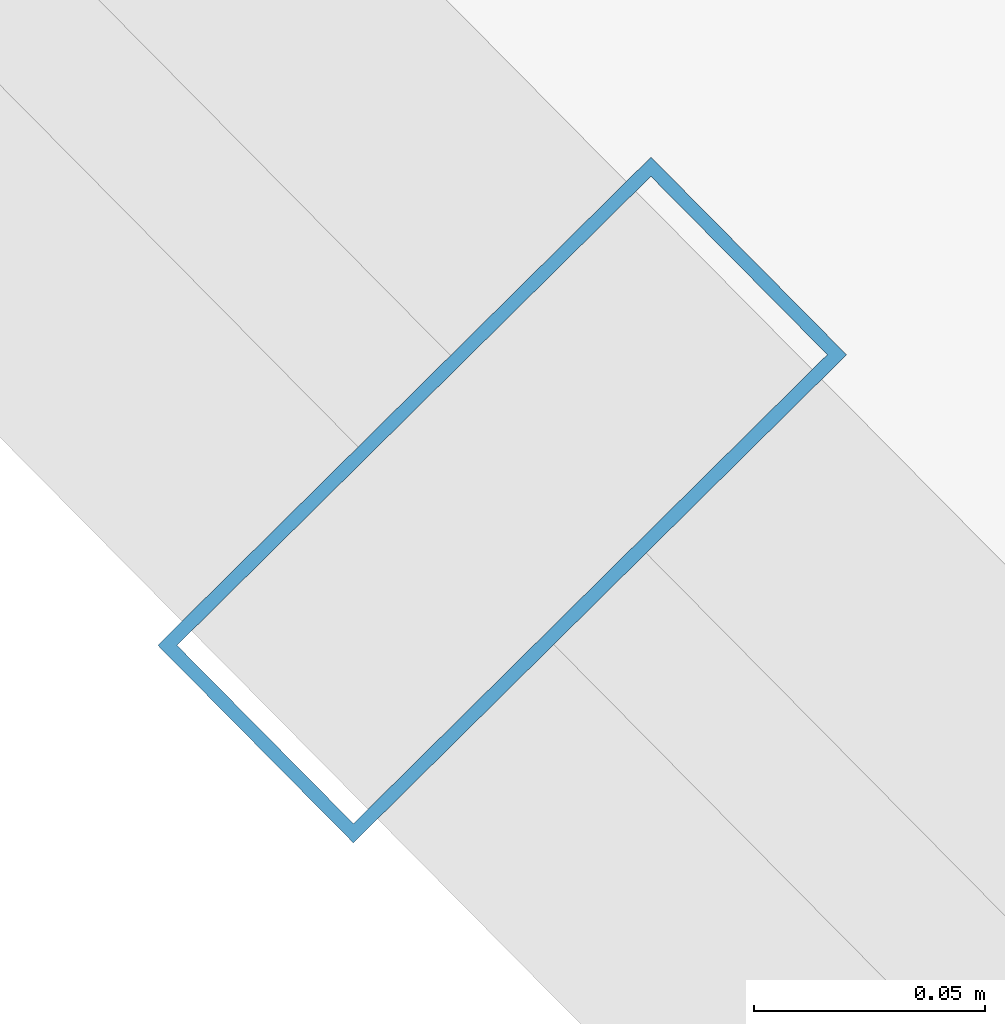
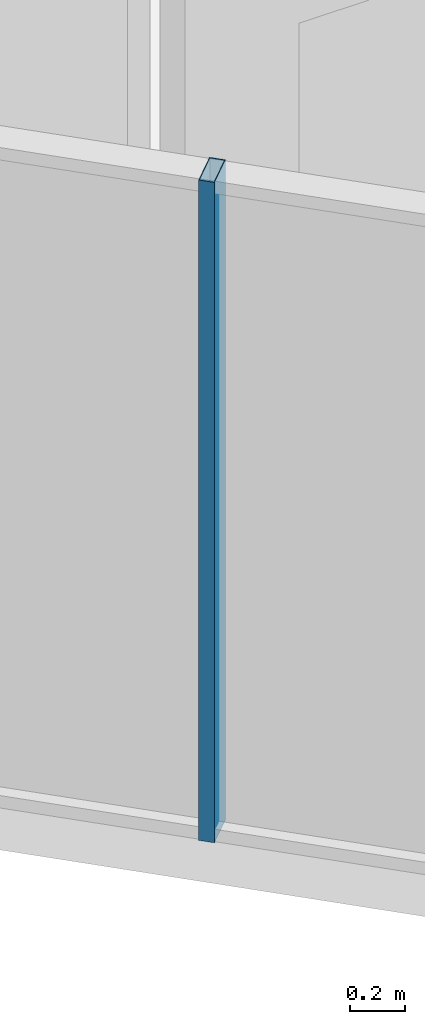
# One storey, part 2 of 29: 1 member, 1 element without a shape of its own.
"""IFC4 building model written with IfcOpenShell, lengths in metres."""

from ifc_helpers import new_model, si_unit, direction, frame, origin, origin_2d, place, context, subcontext, project, spatial, hollow_rectangle, extrude, source, transform, mapped, material, layer, layer_set, material_profile, profile_set, type_object, element, aggregate, save


model = new_model("IFC4")

# Units and contexts
model_context = context("Model", 3, precision=1e-05, world=origin(), true_north=direction((0.0, 1.0)))
body_context = subcontext(model_context, "Body", "Model", "MODEL_VIEW")
ifc_project = project(units=[si_unit("LENGTHUNIT", "METRE"), si_unit("AREAUNIT", "SQUARE_METRE"), si_unit("VOLUMEUNIT", "CUBIC_METRE"), si_unit("PLANEANGLEUNIT", "RADIAN"), si_unit("MASSUNIT", "GRAM", prefix="KILO")], contexts=[model_context])

# Site, building, storey
site_placement = place(None, origin())
site = spatial("IfcSite", under=ifc_project, at=site_placement, CompositionType="ELEMENT")
building_placement = place(site_placement, origin())
building = spatial("IfcBuilding", under=site, at=building_placement, Name="Veraguas Prism Commons", CompositionType="ELEMENT")
storey_placement = place(building_placement, frame((0.0, 0.0, 261.0)))
storey = spatial("IfcBuildingStorey", under=building, at=storey_placement, Name="L74", CompositionType="ELEMENT", Elevation=261.0)

# Curtain wall, member
ifc_material = material(Name="Anodised aluminium EN AW-6063 T6", Category="aluminium")
ifc_layer = layer(ifc_material, 0.14990234375, Name="Unitised Flush Curtain Wall Zone 4", Category="aluminium")
ifc_layer_set = layer_set([ifc_layer], Name="Anodised aluminium EN AW-6063 T6")
curtain_wall_type = type_object("IfcCurtainWallType", Name="Unitised Flush Curtain Wall Zone 4", PredefinedType="NOTDEFINED", material=ifc_layer_set)
curtain_wall_placement = place(storey_placement, origin())
curtain_wall = element("IfcCurtainWall", 1, at=curtain_wall_placement, inside=storey, type_object=curtain_wall_type, Name="Tower Facade Curtain Wall L74-F4", PredefinedType="NOTDEFINED")
ifc_material_profile = material_profile(ifc_material, hollow_rectangle(XDim=0.06005859375, YDim=0.14990234375, WallThickness=0.0029296875, at=origin_2d()), Name="AL60X150X3")
ifc_profile_set = profile_set([ifc_material_profile], Name="Anodised aluminium EN AW-6063 T6")
member_type = type_object("IfcMemberType", Name="Curtain Wall Mullion Upper AL 60x150x3", PredefinedType="MULLION", material=ifc_profile_set)
shared_shape = source(origin(), body_context, "Body", "SweptSolid", [
    extrude(hollow_rectangle(XDim=0.06005859375, YDim=0.14990234375, WallThickness=0.0029296875, at=origin_2d()), origin(), (0.0, 0.0, 1.0), 2.929931640625),
])
member_placement = place(storey_placement, frame((12.30419921875, 12.426025390625, 0.0), z_axis=(0.0, 0.0, 1.0), x_axis=(0.703392221648, -0.710801929179, 0.0)))
member = element("IfcMember", 2, at=member_placement, type_object=member_type, Name="CW-Z4 Mullion 3", PredefinedType="MULLION", context=body_context, shape_type="MappedRepresentation", body=[
    mapped(shared_shape, transform((0.0, 0.0, 0.0), scale=1.0)),
])
aggregate(curtain_wall, [member])

save(model, "model.ifc")
